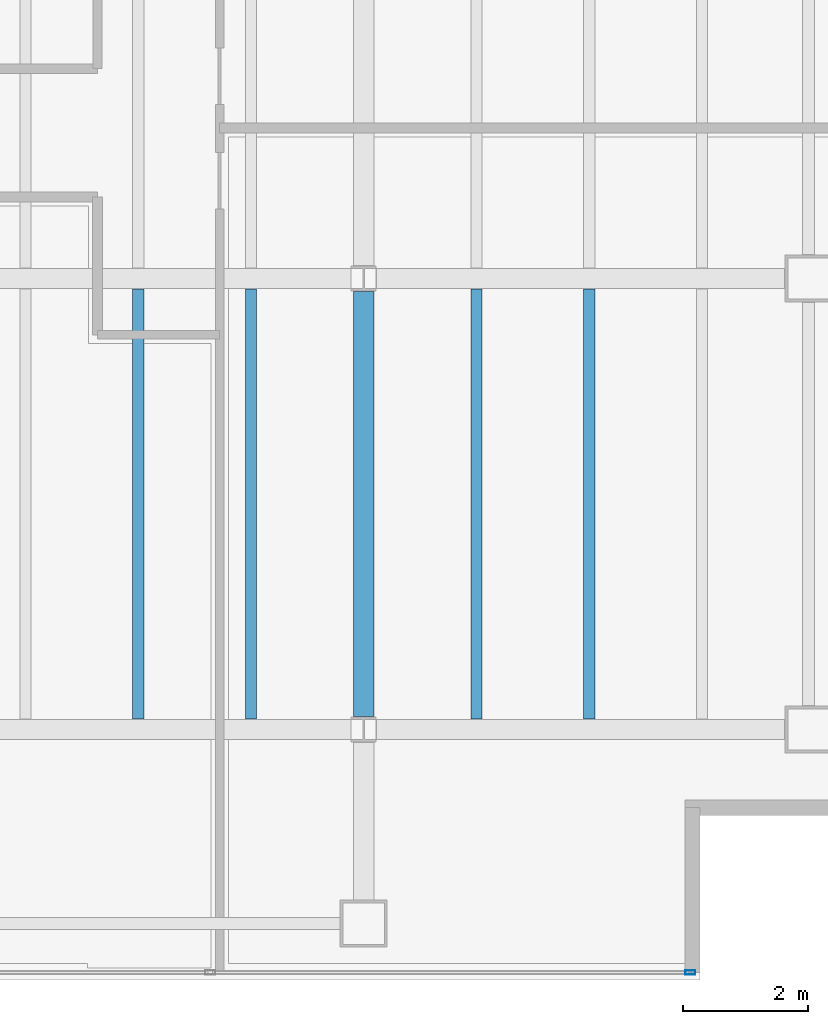
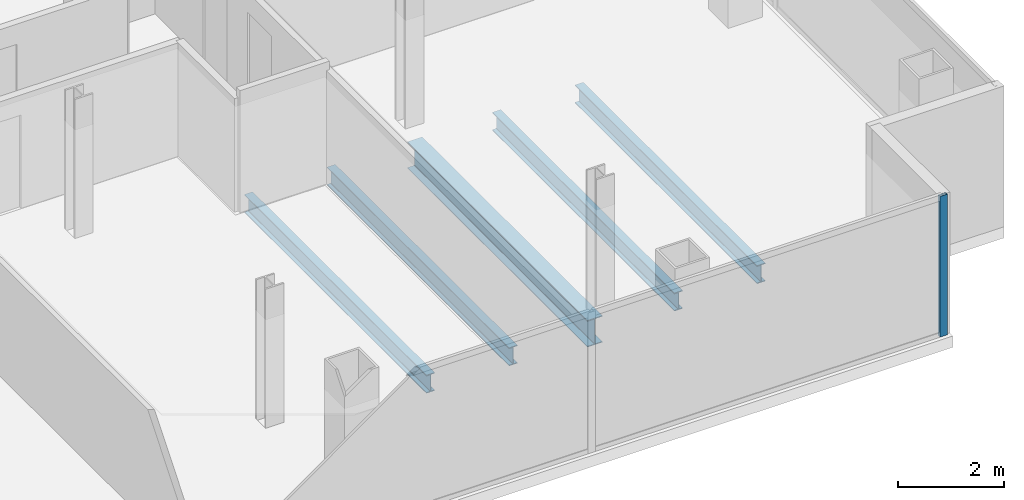
# One storey, part 11 of 23: 5 beams, 1 member, 1 element without a shape of its own.
"""IFC4 building model written with IfcOpenShell, lengths in metres."""

from ifc_helpers import new_model, si_unit, direction, frame, origin, origin_2d, place, context, subcontext, project, spatial, hollow_rectangle, i_section, extrude, material, material_profile, profile_set, type_object, element, aggregate, save


model = new_model("IFC4")

# Units and contexts
model_context = context("Model", 3, precision=1e-05, world=origin(), true_north=direction((0.0, 1.0)))
body_context = subcontext(model_context, "Body", "Model", "MODEL_VIEW")
ifc_project = project(units=[si_unit("LENGTHUNIT", "METRE"), si_unit("AREAUNIT", "SQUARE_METRE"), si_unit("VOLUMEUNIT", "CUBIC_METRE"), si_unit("PLANEANGLEUNIT", "RADIAN"), si_unit("MASSUNIT", "GRAM", prefix="KILO")], contexts=[model_context])

# Site, building, storey
site_placement = place(None, origin())
site = spatial("IfcSite", under=ifc_project, at=site_placement, CompositionType="ELEMENT")
building_placement = place(site_placement, origin())
building = spatial("IfcBuilding", under=site, at=building_placement, Name="Cobrela Telecom Tower", CompositionType="ELEMENT")
storey_placement = place(building_placement, frame((0.0, 0.0, 208.25)))
storey = spatial("IfcBuildingStorey", under=building, at=storey_placement, Name="L53", CompositionType="ELEMENT", Elevation=208.25)

# Beams
ifc_material_1 = material(Name="Steel ASTM A992 Grade 50", Category="steel")
ifc_material_profile_1 = material_profile(ifc_material_1, i_section(OverallWidth=0.324951171875, OverallDepth=0.612060546875, WebThickness=0.0126953125, FlangeThickness=0.01904296875, FilletRadius=0.014892578125, at=origin_2d()), Name="W24X104")
ifc_profile_set_1 = profile_set([ifc_material_profile_1], Name="Steel ASTM A992 Grade 50")
beam_type_1 = type_object("IfcBeamType", Name="BM-GIRD-07", PredefinedType="USERDEFINED", material=ifc_profile_set_1)
beam_placement = place(storey_placement, frame((36.0, 7.404541015625, -0.56591796875), z_axis=(0.0, 1.0, 0.0), x_axis=(-1.0, 0.0, 0.0)))
element("IfcBeam", 1, at=beam_placement, inside=storey, type_object=beam_type_1, Name="L53 Primary Girder Y40", ObjectType="GIRDER", PredefinedType="USERDEFINED", context=body_context, shape_type="SweptSolid", body=[
    extrude(i_section(OverallWidth=0.324951171875, OverallDepth=0.612060546875, WebThickness=0.0126953125, FlangeThickness=0.01904296875, FilletRadius=0.014892578125, at=origin_2d()), origin(), (0.0, 0.0, 1.0), 6.791015625),
])
ifc_material_profile_2 = material_profile(ifc_material_1, i_section(OverallWidth=0.179931640625, OverallDepth=0.4169921875, WebThickness=0.010986328125, FlangeThickness=0.01806640625, FilletRadius=0.011962890625, at=origin_2d()), Name="W16X57")
ifc_profile_set_2 = profile_set([ifc_material_profile_2], Name="Steel ASTM A992 Grade 50")
beam_type_2 = type_object("IfcBeamType", Name="BM-JOIST-04", PredefinedType="JOIST", material=ifc_profile_set_2)
for number, where, z_axis, x_axis, name in (
    (2, (32.39990234375, 7.367431640625, -0.468505859375), (0.0, 1.0, 0.0), (-1.0, 0.0, 0.0), "L53 Secondary Composite Floor Beam J21"),
    (3, (34.199951171875, 7.367431640625, -0.468505859375), (0.0, 1.0, 0.0), (-1.0, 0.0, 0.0), "L53 Secondary Composite Floor Beam J23"),
    (4, (37.800048828125, 7.367431640625, -0.468505859375), (0.0, 1.0, 0.0), (-1.0, 0.0, 0.0), "L53 Secondary Composite Floor Beam J25"),
    (5, (39.60009765625, 7.367431640625, -0.468505859375), (0.0, 1.0, 0.0), (-1.0, 0.0, 0.0), "L53 Secondary Composite Floor Beam J27"),
):
    element("IfcBeam", number, at=place(storey_placement, frame(where, z_axis=z_axis, x_axis=x_axis)), inside=storey, type_object=beam_type_2, Name=name, PredefinedType="JOIST", context=body_context, shape_type="SweptSolid", body=[
        extrude(i_section(OverallWidth=0.179931640625, OverallDepth=0.4169921875, WebThickness=0.010986328125, FlangeThickness=0.01806640625, FilletRadius=0.011962890625, at=origin_2d()), origin(), (0.0, 0.0, 1.0), 6.864990234375),
    ])

# Curtain wall, member
ifc_material_2 = material(Name="Anodized Bronze Aluminium 6063-T6", Category="aluminium")
curtain_wall_type = type_object("IfcCurtainWallType", Name="CW-SYS-OFF-LO", PredefinedType="USERDEFINED", material=ifc_material_2)
curtain_wall_placement = place(storey_placement, origin())
curtain_wall = element("IfcCurtainWall", 6, at=curtain_wall_placement, inside=storey, type_object=curtain_wall_type, Name="L53 Unitised Bronze Curtain Wall 17", ObjectType="UNITISED CURTAIN WALL", PredefinedType="USERDEFINED")
ifc_material_profile_3 = material_profile(ifc_material_2, hollow_rectangle(XDim=0.070068359375, YDim=0.159912109375, WallThickness=0.00390625, at=origin_2d()), Name="ALU 70x160x4")
ifc_profile_set_3 = profile_set([ifc_material_profile_3], Name="Anodized Bronze Aluminium 6063-T6")
member_type = type_object("IfcMemberType", Name="CW-SYS-OFF-LO-MUL", PredefinedType="MULLION", material=ifc_profile_set_3)
member_placement = place(storey_placement, frame((41.215087890625, 3.320068359375, 0.0), z_axis=(0.0, 0.0, 1.0), x_axis=(0.0, -1.0, 0.0)))
member = element("IfcMember", 7, at=member_placement, type_object=member_type, Name="CW-OFF-LO mullion 1", PredefinedType="MULLION", context=body_context, shape_type="SweptSolid", body=[
    extrude(hollow_rectangle(XDim=0.070068359375, YDim=0.159912109375, WallThickness=0.00390625, at=origin_2d()), origin(), (0.0, 0.0, 1.0), 3.239990234375),
])
aggregate(curtain_wall, [member])

save(model, "model.ifc")
